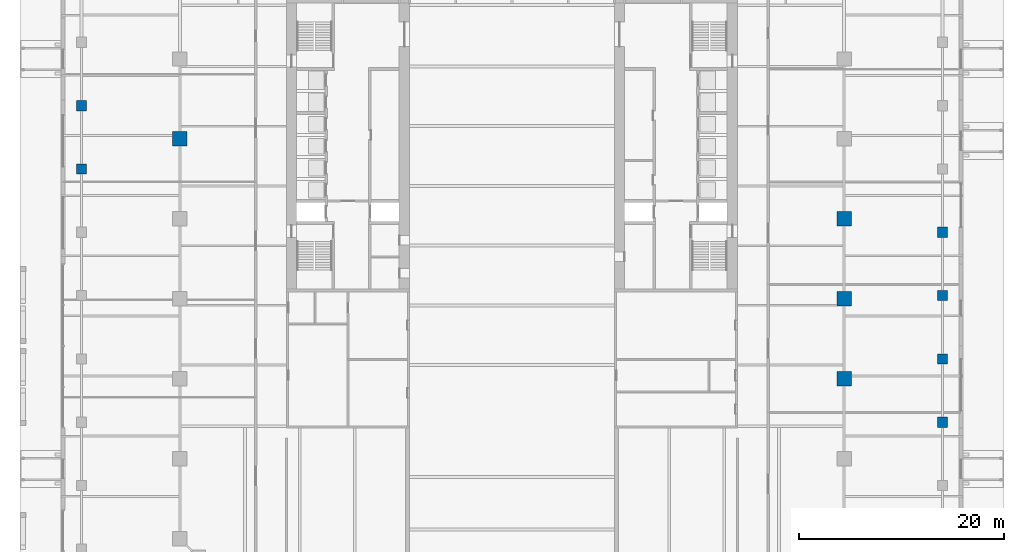
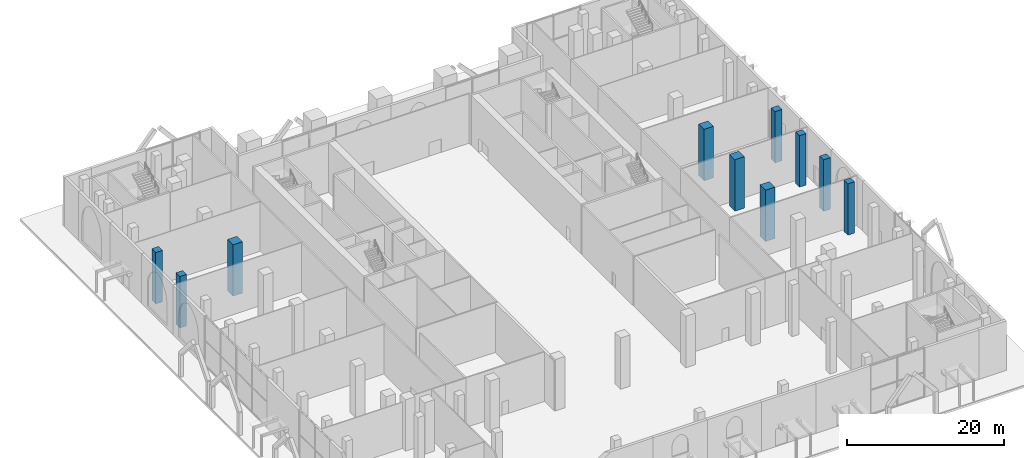
# One storey, part 8 of 38: 10 columns.
"""IFC4 building model written with IfcOpenShell, lengths in metres."""

from ifc_helpers import new_model, si_unit, direction, frame, origin, origin_2d, place, context, subcontext, project, spatial, rectangle, extrude, material, material_profile, profile_set, type_object, element, save


model = new_model("IFC4")

# Units and contexts
model_context = context("Model", 3, precision=1e-05, world=origin(), true_north=direction((0.0, 1.0)))
body_context = subcontext(model_context, "Body", "Model", "MODEL_VIEW")
ifc_project = project(units=[si_unit("LENGTHUNIT", "METRE"), si_unit("AREAUNIT", "SQUARE_METRE"), si_unit("VOLUMEUNIT", "CUBIC_METRE"), si_unit("PLANEANGLEUNIT", "RADIAN"), si_unit("MASSUNIT", "GRAM", prefix="KILO")], contexts=[model_context])

# Site, building, storey
site_placement = place(None, origin())
site = spatial("IfcSite", under=ifc_project, at=site_placement, CompositionType="ELEMENT")
building_placement = place(site_placement, origin())
building = spatial("IfcBuilding", under=site, at=building_placement, Name="Ogive Exchange Tower", CompositionType="ELEMENT")
storey_placement = place(building_placement, origin())
storey = spatial("IfcBuildingStorey", under=building, at=storey_placement, Name="L00", CompositionType="ELEMENT", Elevation=0.0)

# Columns
ifc_material = material(Name="Concrete C70/85", Category="concrete")
ifc_material_profile_1 = material_profile(ifc_material, rectangle(XDim=1.0, YDim=1.0, at=origin_2d()), Name="RC 1000x1000")
ifc_profile_set_1 = profile_set([ifc_material_profile_1], Name="Concrete C70/85")
column_type_1 = type_object("IfcColumnType", Name="RC column 1000x1000", PredefinedType="COLUMN", material=ifc_profile_set_1)
for number, where, z_axis, x_axis, name in (
    (1, (42.0, -15.43994140625, 0.0), (0.0, 0.0, 1.0), (1.0, 0.0, 0.0), "Podium column"),
    (2, (42.0, -9.27001953125, 0.0), (0.0, 0.0, 1.0), (1.0, 0.0, 0.0), "Podium column"),
    (3, (42.0, -3.090087890625, 0.0), (0.0, 0.0, 1.0), (1.0, 0.0, 0.0), "Podium column"),
    (4, (42.0, 3.090087890625, 0.0), (0.0, 0.0, 1.0), (1.0, 0.0, 0.0), "Podium column"),
    (5, (-42.0, 9.27001953125, 0.0), (0.0, 0.0, 1.0), (1.0, 0.0, 0.0), "Podium column"),
    (6, (-42.0, 15.43994140625, 0.0), (0.0, 0.0, 1.0), (1.0, 0.0, 0.0), "Podium column"),
):
    element("IfcColumn", number, at=place(storey_placement, frame(where, z_axis=z_axis, x_axis=x_axis)), inside=storey, type_object=column_type_1, Name=name, PredefinedType="COLUMN", context=body_context, shape_type="SweptSolid", body=[
        extrude(rectangle(XDim=1.0, YDim=1.0, at=origin_2d()), origin(), (0.0, 0.0, 1.0), 8.0),
    ])
ifc_material_profile_2 = material_profile(ifc_material, rectangle(XDim=1.39990234375, YDim=1.39990234375, at=origin_2d()), Name="RC 1400x1400")
ifc_profile_set_2 = profile_set([ifc_material_profile_2], Name="Concrete C70/85")
column_type_2 = type_object("IfcColumnType", Name="RC column 1400x1400", PredefinedType="COLUMN", material=ifc_profile_set_2)
for number, where, z_axis, x_axis, name in (
    (7, (32.39990234375, -11.199951171875, 0.0), (0.0, 0.0, 1.0), (1.0, 0.0, 0.0), "Leg column"),
    (8, (32.39990234375, -3.39990234375, 0.0), (0.0, 0.0, 1.0), (1.0, 0.0, 0.0), "Leg column"),
    (9, (32.39990234375, 4.39990234375, 0.0), (0.0, 0.0, 1.0), (1.0, 0.0, 0.0), "Leg column"),
    (10, (-32.39990234375, 12.199951171875, 0.0), (0.0, 0.0, 1.0), (1.0, 0.0, 0.0), "Leg column"),
):
    element("IfcColumn", number, at=place(storey_placement, frame(where, z_axis=z_axis, x_axis=x_axis)), inside=storey, type_object=column_type_2, Name=name, PredefinedType="COLUMN", context=body_context, shape_type="SweptSolid", body=[
        extrude(rectangle(XDim=1.39990234375, YDim=1.39990234375, at=origin_2d()), origin(), (0.0, 0.0, 1.0), 8.0),
    ])

save(model, "model.ifc")
